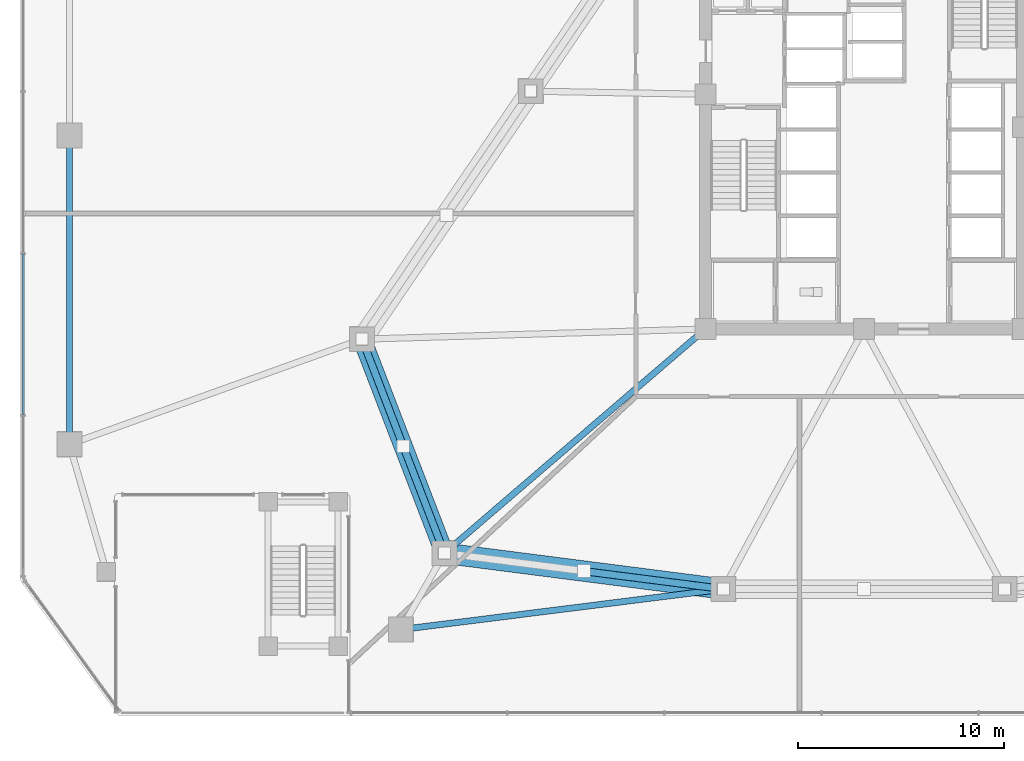
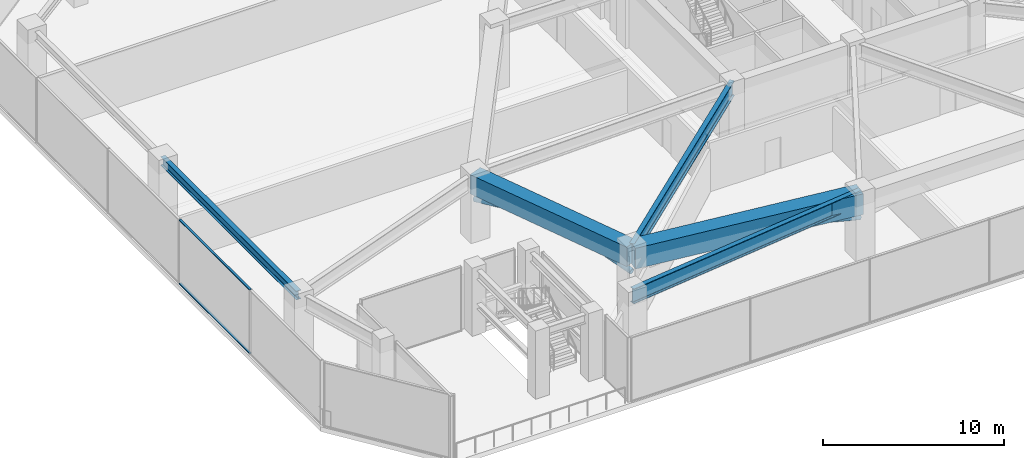
# One storey, part 3 of 23: 5 beams, 5 members, 1 element without a shape of its own.
"""IFC4 building model written with IfcOpenShell, lengths in metres."""

from ifc_helpers import new_model, si_unit, direction, frame, origin, origin_2d, place, context, subcontext, project, spatial, rectangle, hollow_circle, i_section, extrude, material, material_profile, profile_set, type_object, element, aggregate, save


model = new_model("IFC4")

# Units and contexts
model_context = context("Model", 3, precision=1e-05, world=origin(), true_north=direction((0.0, 1.0)))
body_context = subcontext(model_context, "Body", "Model", "MODEL_VIEW")
ifc_project = project(units=[si_unit("LENGTHUNIT", "METRE"), si_unit("AREAUNIT", "SQUARE_METRE"), si_unit("VOLUMEUNIT", "CUBIC_METRE"), si_unit("PLANEANGLEUNIT", "RADIAN"), si_unit("MASSUNIT", "GRAM", prefix="KILO")], contexts=[model_context])

# Site, building, storey
site_placement = place(None, origin())
site = spatial("IfcSite", under=ifc_project, at=site_placement, CompositionType="ELEMENT")
building_placement = place(site_placement, origin())
building = spatial("IfcBuilding", under=site, at=building_placement, Name="Savorim Split Tower", CompositionType="ELEMENT")
storey_placement = place(building_placement, frame((0.0, 0.0, 21.800048828125)))
storey = spatial("IfcBuildingStorey", under=building, at=storey_placement, Name="L05", CompositionType="ELEMENT", Elevation=21.800048828125)

# Beams
ifc_material_1 = material(Name="Steel S355", Category="steel")
ifc_material_profile_1 = material_profile(ifc_material_1, i_section(OverallWidth=0.300048828125, OverallDepth=0.590087890625, WebThickness=0.012939453125, FlangeThickness=0.02490234375, FilletRadius=0.027099609375, at=origin_2d()), Name="HEA 600")
ifc_profile_set_1 = profile_set([ifc_material_profile_1], Name="Steel S355")
beam_type_1 = type_object("IfcBeamType", Name="BM-SPN-HEA600", PredefinedType="SPANDREL", material=ifc_profile_set_1)
beam_1_placement = place(storey_placement, frame((-38.60009765625, 0.0, 4.054931640625), z_axis=(0.0, -1.0, 0.0), x_axis=(1.0, 0.0, 0.0)))
element("IfcBeam", 1, at=beam_1_placement, inside=storey, type_object=beam_type_1, Name="L05 Podium Spandrel Beam 11", PredefinedType="SPANDREL", context=body_context, shape_type="SweptSolid", body=[
    extrude(i_section(OverallWidth=0.300048828125, OverallDepth=0.590087890625, WebThickness=0.012939453125, FlangeThickness=0.02490234375, FilletRadius=0.027099609375, at=origin_2d()), origin(), (0.0, 0.0, 1.0), 15.0),
])
ifc_material_2 = material(Name="Steel S460", Category="steel")
ifc_material_profile_2 = material_profile(ifc_material_2, i_section(OverallWidth=0.302001953125, OverallDepth=1.008056640625, WebThickness=0.02099609375, FlangeThickness=0.0400390625, FilletRadius=0.030029296875, at=origin_2d()), Name="HE 1000 M")
ifc_profile_set_2 = profile_set([ifc_material_profile_2], Name="Steel S460")
beam_type_2 = type_object("IfcBeamType", Name="BM-TRF-HEM1000", PredefinedType="BEAM", material=ifc_profile_set_2)
beam_2_placement = place(storey_placement, frame((-20.384033203125, -20.291748046875, 3.845947265625), z_axis=(0.758671842154, 0.651472974054, 0.0), x_axis=(-0.651472974054, 0.758671842154, 0.0)))
element("IfcBeam", 2, at=beam_2_placement, inside=storey, type_object=beam_type_2, Name="L05 Radial Transfer Girder PC-S1", PredefinedType="BEAM", context=body_context, shape_type="SweptSolid", body=[
    extrude(i_section(OverallWidth=0.302001953125, OverallDepth=1.008056640625, WebThickness=0.02099609375, FlangeThickness=0.0400390625, FilletRadius=0.030029296875, at=origin_2d()), origin(), (0.0, 0.0, 1.0), 16.71875),
])
beam_3_placement = place(storey_placement, frame((-22.5, -24.0, 3.845947265625), z_axis=(0.992201816191, 0.124641710303, 0.0), x_axis=(-0.124641710303, 0.992201816191, 0.0)))
element("IfcBeam", 3, at=beam_3_placement, inside=storey, type_object=beam_type_2, Name="L05 Podium Primary Girder BG-02", PredefinedType="BEAM", context=body_context, shape_type="SweptSolid", body=[
    extrude(i_section(OverallWidth=0.302001953125, OverallDepth=1.008056640625, WebThickness=0.02099609375, FlangeThickness=0.0400390625, FilletRadius=0.030029296875, at=origin_2d()), origin(), (0.0, 0.0, 1.0), 15.791259765625),
])
ifc_material_3 = material(Name="Concrete C60/75", Category="concrete")
ifc_material_profile_3 = material_profile(ifc_material_3, rectangle(XDim=0.89990234375, YDim=1.300048828125, at=origin_2d()), Name="RC 900x1300")
ifc_profile_set_3 = profile_set([ifc_material_profile_3], Name="Concrete C60/75")
beam_type_3 = type_object("IfcBeamType", Name="BM-TRF-RC1300", PredefinedType="BEAM", material=ifc_profile_set_3)
beam_4_placement = place(storey_placement, frame((-24.384521484375, -9.894287109375, 3.699951171875), z_axis=(0.359093620241, -0.93330154393, 0.0), x_axis=(0.93330154393, 0.359093620241, 0.0)))
element("IfcBeam", 4, at=beam_4_placement, inside=storey, type_object=beam_type_3, Name="L05 Transfer Belt Girder PC-W3-PC-S1", PredefinedType="BEAM", context=body_context, shape_type="SweptSolid", body=[
    extrude(rectangle(XDim=0.89990234375, YDim=1.300048828125, at=origin_2d()), origin(), (0.0, 0.0, 1.0), 11.140625),
])
ifc_material_profile_4 = material_profile(ifc_material_3, rectangle(XDim=1.0, YDim=1.39990234375, at=origin_2d()), Name="RC 1000x1400")
ifc_profile_set_4 = profile_set([ifc_material_profile_4], Name="Concrete C60/75")
beam_type_4 = type_object("IfcBeamType", Name="BM-TRF-RC1400", PredefinedType="BEAM", material=ifc_profile_set_4)
beam_5_placement = place(storey_placement, frame((-20.384033203125, -20.291748046875, 3.64990234375), z_axis=(0.99185835942, -0.127345965188, 0.0), x_axis=(0.127345965188, 0.99185835942, 0.0)))
element("IfcBeam", 5, at=beam_5_placement, inside=storey, type_object=beam_type_4, Name="L05 Transfer Belt Girder PC-S1-PC-S2", PredefinedType="BEAM", context=body_context, shape_type="SweptSolid", body=[
    extrude(rectangle(XDim=1.0, YDim=1.39990234375, at=origin_2d()), origin(), (0.0, 0.0, 1.0), 13.66357421875),
])

# Curtain wall, members
ifc_material_4 = material(Name="Dark Ceramic-Fritted Insulated Glass", Category="glass")
curtain_wall_type = type_object("IfcCurtainWallType", Name="CW-REFUGE-LVR", PredefinedType="NOTDEFINED", material=ifc_material_4)
curtain_wall_placement = place(storey_placement, origin())
curtain_wall = element("IfcCurtainWall", 6, at=curtain_wall_placement, inside=storey, type_object=curtain_wall_type, Name="L05 Curtain Wall CW-L05-E10", PredefinedType="NOTDEFINED")
ifc_material_5 = material(Name="Charcoal Anodised Aluminium", Category="aluminium")
ifc_material_profile_5 = material_profile(ifc_material_5, rectangle(XDim=0.139892578125, YDim=0.054931640625, at=origin_2d()), Name="ALU-T 140x55")
ifc_profile_set_5 = profile_set([ifc_material_profile_5], Name="Charcoal Anodised Aluminium")
member_type_1 = type_object("IfcMemberType", Name="CWT-140x55", PredefinedType="USERDEFINED", material=ifc_profile_set_5)
member_1_placement = place(storey_placement, frame((-40.840087890625, -5.764404296875, 0.02734375), z_axis=(0.0, -1.0, 0.0), x_axis=(1.0, 0.0, 0.0)))
member_1 = element("IfcMember", 7, at=member_1_placement, type_object=member_type_1, Name="CW-06 transom 4.1", ObjectType="TRANSOM", PredefinedType="USERDEFINED", context=body_context, shape_type="SweptSolid", body=[
    extrude(rectangle(XDim=0.139892578125, YDim=0.054931640625, at=origin_2d()), origin(), (0.0, 0.0, 1.0), 7.799072265625),
])
member_2_placement = place(storey_placement, frame((-40.840087890625, -5.764404296875, 4.322509765625), z_axis=(0.0, -1.0, 0.0), x_axis=(1.0, 0.0, 0.0)))
member_2 = element("IfcMember", 8, at=member_2_placement, type_object=member_type_1, Name="CW-06 transom 4.2", ObjectType="TRANSOM", PredefinedType="USERDEFINED", context=body_context, shape_type="SweptSolid", body=[
    extrude(rectangle(XDim=0.139892578125, YDim=0.054931640625, at=origin_2d()), origin(), (0.0, 0.0, 1.0), 7.799072265625),
])
aggregate(curtain_wall, [member_1, member_2])

# Members
ifc_material_profile_6 = material_profile(ifc_material_2, hollow_circle(Radius=0.177734375, WallThickness=0.02001953125, at=origin_2d()), Name="CHS 355.6x20")
ifc_profile_set_6 = profile_set([ifc_material_profile_6], Name="Steel S460")
member_type_2 = type_object("IfcMemberType", Name="MBR-BLT-CHS355", PredefinedType="BRACE", material=ifc_profile_set_6)
member_3_placement = place(storey_placement, frame((-6.831787109375, -22.03173828125, 2.47998046875), z_axis=(-0.97714889269, 0.125439794799, 0.171595161339), x_axis=(-0.127328386793, -0.991860616174, 0.0)))
element("IfcMember", 9, at=member_3_placement, inside=storey, type_object=member_type_2, Name="L05 Transfer Belt Truss Brace 1B", PredefinedType="BRACE", context=body_context, shape_type="SweptSolid", body=[
    extrude(hollow_circle(Radius=0.177734375, WallThickness=0.02001953125, at=origin_2d()), origin(), (0.0, 0.0, 1.0), 6.9345703125),
])
for number, where, z_axis, x_axis, name in (
    (10, (-24.384521484375, -9.894287109375, 2.47998046875), (0.351170139211, -0.912708036659, 0.20891044288), (0.93330154393, 0.359093620241, 0.0), "L05 Transfer Belt Truss Brace 10A"),
    (11, (-20.384033203125, -20.291748046875, 2.47998046875), (-0.351170139211, 0.912708036659, 0.20891044288), (-0.93330154393, -0.359093620241, 0.0), "L05 Transfer Belt Truss Brace 10B"),
):
    element("IfcMember", number, at=place(storey_placement, frame(where, z_axis=z_axis, x_axis=x_axis)), inside=storey, type_object=member_type_2, Name=name, PredefinedType="BRACE", context=body_context, shape_type="SweptSolid", body=[
        extrude(hollow_circle(Radius=0.177734375, WallThickness=0.02001953125, at=origin_2d()), origin(), (0.0, 0.0, 1.0), 5.696044921875),
    ])

save(model, "model.ifc")
